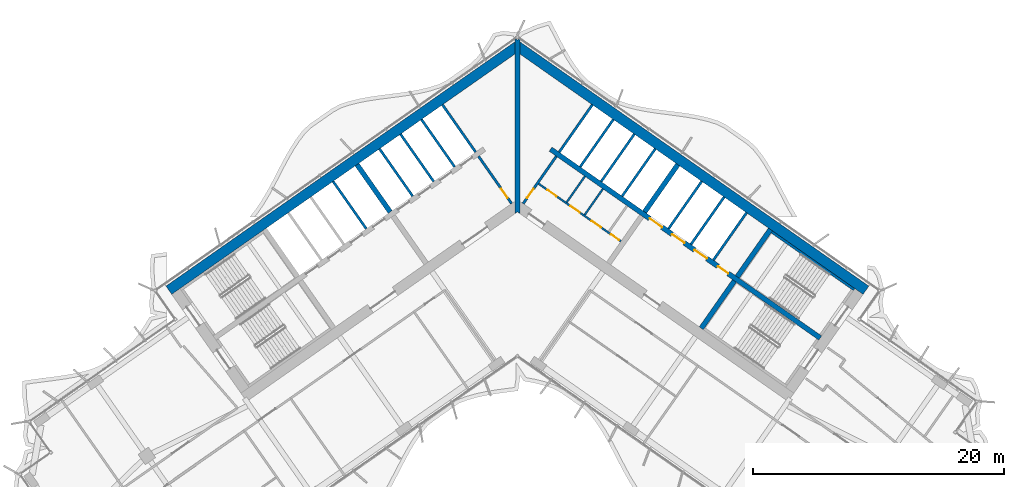
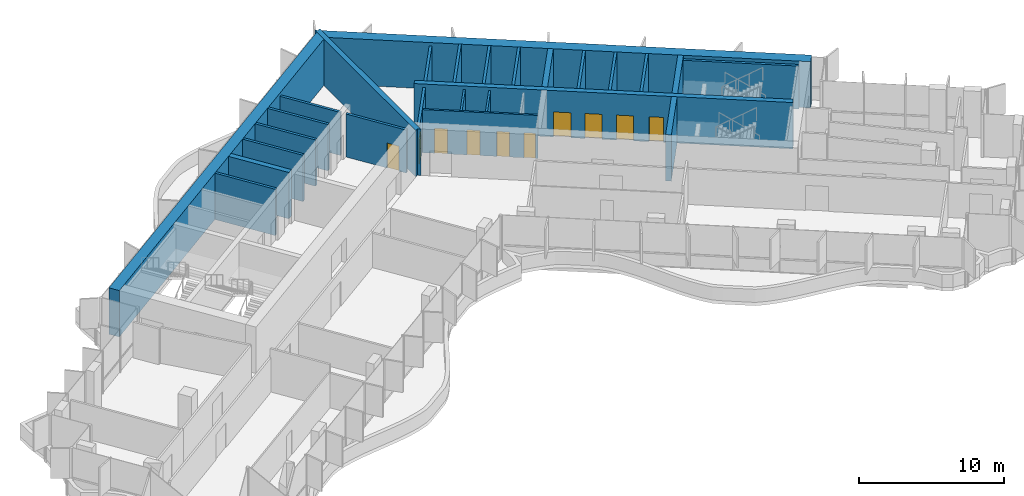
# One storey, part 14 of 21: 26 walls, 10 doors, 10 openings.
"""IFC4 building model written with IfcOpenShell, lengths in metres."""

from ifc_helpers import new_model, si_unit, direction, frame, frame_2d, origin, place, context, subcontext, project, spatial, polyline, rectangle, outline, extrude, material, layer, layer_set, type_object, element, fill, save


model = new_model("IFC4")

# Units and contexts
model_context = context("Model", 3, precision=1e-05, world=origin(), true_north=direction((0.0, 1.0)))
body_context = subcontext(model_context, "Body", "Model", "MODEL_VIEW")
ifc_project = project(units=[si_unit("LENGTHUNIT", "METRE"), si_unit("AREAUNIT", "SQUARE_METRE"), si_unit("VOLUMEUNIT", "CUBIC_METRE"), si_unit("PLANEANGLEUNIT", "RADIAN"), si_unit("MASSUNIT", "GRAM", prefix="KILO")], contexts=[model_context])

# Site, building, storey
site_placement = place(None, origin())
site = spatial("IfcSite", under=ifc_project, at=site_placement, CompositionType="ELEMENT")
building_placement = place(site_placement, origin())
building = spatial("IfcBuilding", under=site, at=building_placement, Name="Tel Ilan Convention Tower", CompositionType="ELEMENT")
storey_placement = place(building_placement, frame((0.0, 0.0, 147.60009765625)))
storey = spatial("IfcBuildingStorey", under=building, at=storey_placement, Name="L33", CompositionType="ELEMENT", Elevation=147.60009765625)

# Wall, openings, doors
ifc_material_1 = material(Name="Gypsum Plasterboard on Steel Stud", Category="steel")
ifc_layer_1 = layer(ifc_material_1, 0.14990234375)
ifc_layer_set_1 = layer_set([ifc_layer_1], Name="Core Room Partition Wall 150 mm EI 60")
wall_type_1 = type_object("IfcWallType", Name="Core Room Partition Wall 150 mm EI 60", PredefinedType="PARTITIONING", material=ifc_layer_set_1)
wall_1_placement = place(storey_placement, frame((1.687744140625, 1.015625, 0.0), z_axis=(0.0, 0.0, 1.0), x_axis=(0.819151624752, -0.573577035512, 0.0)))
wall_1 = element("IfcWall", 1, at=wall_1_placement, inside=storey, type_object=wall_type_1, Name="L33 core wall wc-h1", PredefinedType="PARTITIONING", context=body_context, shape_type="SweptSolid", body=[
    extrude(rectangle(XDim=8.0, YDim=0.14990234375, at=frame_2d((4.0, 0.0))), origin(), (0.0, 0.0, 1.0), 3.619873046875),
])
opening_1_placement = place(wall_1_placement, frame((0.85009765625, 0.0, 0.0)))
opening_1 = element("IfcOpeningElement", 2, at=opening_1_placement, cuts=wall_1, Name="Opening CD2711", PredefinedType="OPENING", context=body_context, shape_type="SweptSolid", body=[
    extrude(rectangle(XDim=0.89990234375, YDim=2.10009765625, at=frame_2d((0.449951171875, 1.050048828125))), frame((0.0, 0.0849609375, 0.0), z_axis=(0.0, -1.0, 0.0), x_axis=(1.0, 0.0, 0.0)), (0.0, 0.0, 1.0), 0.169921875),
])
opening_2_placement = place(wall_1_placement, frame((3.10009765625, 0.0, 0.0)))
opening_2 = element("IfcOpeningElement", 3, at=opening_2_placement, cuts=wall_1, Name="Opening CD2708", PredefinedType="OPENING", context=body_context, shape_type="SweptSolid", body=[
    extrude(rectangle(XDim=0.89990234375, YDim=2.10009765625, at=frame_2d((0.449951171875, 1.050048828125))), frame((0.0, 0.0849609375, 0.0), z_axis=(0.0, -1.0, 0.0), x_axis=(1.0, 0.0, 0.0)), (0.0, 0.0, 1.0), 0.169921875),
])
opening_3_placement = place(wall_1_placement, frame((5.14990234375, 0.0, 0.0)))
opening_3 = element("IfcOpeningElement", 4, at=opening_3_placement, cuts=wall_1, Name="Opening CD2710", PredefinedType="OPENING", context=body_context, shape_type="SweptSolid", body=[
    extrude(rectangle(XDim=0.89990234375, YDim=2.10009765625, at=frame_2d((0.449951171875, 1.050048828125))), frame((0.0, 0.0849609375, 0.0), z_axis=(0.0, -1.0, 0.0), x_axis=(1.0, 0.0, 0.0)), (0.0, 0.0, 1.0), 0.169921875),
])
opening_4_placement = place(wall_1_placement, frame((7.02490234375, 0.0, 0.0)))
opening_4 = element("IfcOpeningElement", 5, at=opening_4_placement, cuts=wall_1, Name="Opening CD2709", PredefinedType="OPENING", context=body_context, shape_type="SweptSolid", body=[
    extrude(rectangle(XDim=0.800048828125, YDim=2.10009765625, at=frame_2d((0.39990234375, 1.050048828125))), frame((0.0, 0.0849609375, 0.0), z_axis=(0.0, -1.0, 0.0), x_axis=(1.0, 0.0, 0.0)), (0.0, 0.0, 1.0), 0.169921875),
])
ifc_material_2 = material(Name="Galvanised Steel Door Leaf", Category="steel")
door_type_1 = type_object("IfcDoorType", Name="Store Door 800 x 2100 FD60", OperationType="NOTDEFINED", PredefinedType="DOOR", material=ifc_material_2)
door_1_placement = place(opening_4_placement, origin())
door_1 = element("IfcDoor", 6, at=door_1_placement, inside=storey, type_object=door_type_1, Name="Cleaner's store door", OperationType="SINGLE_SWING_RIGHT", OverallHeight=2.10009765625, OverallWidth=0.800048828125, PredefinedType="DOOR", context=body_context, shape_type="SweptSolid", body=[
    extrude(rectangle(XDim=0.800048828125, YDim=2.10009765625, at=frame_2d((0.39990234375, 1.050048828125))), frame((0.0, 0.02490234375, 0.0), z_axis=(0.0, -1.0, 0.0), x_axis=(1.0, 0.0, 0.0)), (0.0, 0.0, 1.0), 0.050048828125),
])
fill(opening_4, door_1)
ifc_material_3 = material(Name="Laminated Timber Door Leaf", Category="wood")
door_type_2 = type_object("IfcDoorType", Name="Toilet Door 900 x 2100 FD30S", OperationType="NOTDEFINED", PredefinedType="DOOR", material=ifc_material_3)
door_2_placement = place(opening_1_placement, origin())
door_2 = element("IfcDoor", 7, at=door_2_placement, inside=storey, type_object=door_type_2, Name="Women's WC door", OperationType="SINGLE_SWING_RIGHT", OverallHeight=2.10009765625, OverallWidth=0.89990234375, PredefinedType="DOOR", context=body_context, shape_type="SweptSolid", body=[
    extrude(rectangle(XDim=0.89990234375, YDim=2.10009765625, at=frame_2d((0.449951171875, 1.050048828125))), frame((0.0, 0.02490234375, 0.0), z_axis=(0.0, -1.0, 0.0), x_axis=(1.0, 0.0, 0.0)), (0.0, 0.0, 1.0), 0.050048828125),
])
fill(opening_1, door_2)
door_3_placement = place(opening_2_placement, origin())
door_3 = element("IfcDoor", 8, at=door_3_placement, inside=storey, type_object=door_type_2, Name="Accessible WC door", OperationType="SINGLE_SWING_RIGHT", OverallHeight=2.10009765625, OverallWidth=0.89990234375, PredefinedType="DOOR", context=body_context, shape_type="SweptSolid", body=[
    extrude(rectangle(XDim=0.89990234375, YDim=2.10009765625, at=frame_2d((0.449951171875, 1.050048828125))), frame((0.0, 0.02490234375, 0.0), z_axis=(0.0, -1.0, 0.0), x_axis=(1.0, 0.0, 0.0)), (0.0, 0.0, 1.0), 0.050048828125),
])
fill(opening_2, door_3)
door_4_placement = place(opening_3_placement, origin())
door_4 = element("IfcDoor", 9, at=door_4_placement, inside=storey, type_object=door_type_2, Name="Men's WC door", OperationType="SINGLE_SWING_RIGHT", OverallHeight=2.10009765625, OverallWidth=0.89990234375, PredefinedType="DOOR", context=body_context, shape_type="SweptSolid", body=[
    extrude(rectangle(XDim=0.89990234375, YDim=2.10009765625, at=frame_2d((0.449951171875, 1.050048828125))), frame((0.0, 0.02490234375, 0.0), z_axis=(0.0, -1.0, 0.0), x_axis=(1.0, 0.0, 0.0)), (0.0, 0.0, 1.0), 0.050048828125),
])
fill(opening_3, door_4)

# Walls
for number, where, z_axis, x_axis, name in (
    (10, (3.922119140625, -0.457275390625, 0.0), (0.0, 0.0, 1.0), (0.573566168143, 0.81915923407, 0.0), "L33 core wall wc-v0"),
    (11, (5.35546875, -1.4609375, 0.0), (0.0, 0.0, 1.0), (0.573566168143, 0.81915923407, 0.0), "L33 core wall wc-v1"),
):
    element("IfcWall", number, at=place(storey_placement, frame(where, z_axis=z_axis, x_axis=x_axis)), inside=storey, type_object=wall_type_1, Name=name, PredefinedType="PARTITIONING", context=body_context, shape_type="SweptSolid", body=[
        extrude(rectangle(XDim=2.52490234375, YDim=0.14990234375, at=frame_2d((1.262451171875, 0.0))), origin(), (0.0, 0.0, 1.0), 3.619873046875),
    ])

# Wall, opening, door
ifc_material_4 = material(Name="Concrete C30/37", Category="concrete")
ifc_layer_2 = layer(ifc_material_4, 0.199951171875)
ifc_layer_set_2 = layer_set([ifc_layer_2], Name="Core Service Room Wall 200 mm C30/37")
wall_type_2 = type_object("IfcWallType", Name="Core Service Room Wall 200 mm C30/37", PredefinedType="SOLIDWALL", material=ifc_layer_set_2)
wall_2_placement = place(storey_placement, frame((-0.458740234375, -0.565185546875, 0.0), z_axis=(0.0, 0.0, 1.0), x_axis=(-0.573576324356, 0.819152122709, 0.0)))
wall_2 = element("IfcWall", 12, at=wall_2_placement, inside=storey, type_object=wall_type_2, Name="L33 core wall apex-W", PredefinedType="SOLIDWALL", context=body_context, shape_type="SweptSolid", body=[
    extrude(rectangle(XDim=4.599853515625, YDim=0.199951171875, at=frame_2d((2.2998046875, 0.0))), origin(), (0.0, 0.0, 1.0), 3.619873046875),
])
opening_5_placement = place(wall_2_placement, frame((0.550048828125, 0.0, 0.0)))
opening_5 = element("IfcOpeningElement", 13, at=opening_5_placement, cuts=wall_2, Name="Opening CD2702", PredefinedType="OPENING", context=body_context, shape_type="SweptSolid", body=[
    extrude(rectangle(XDim=0.89990234375, YDim=2.10009765625, at=frame_2d((0.449951171875, 1.050048828125))), frame((0.0, 0.10986328125, 0.0), z_axis=(0.0, -1.0, 0.0), x_axis=(1.0, 0.0, 0.0)), (0.0, 0.0, 1.0), 0.219970703125),
])
ifc_material_5 = material(Name="Galvanised Steel Door Leaf", Category="steel")
door_type_3 = type_object("IfcDoorType", Name="Service Room Door 900 x 2100 FD60", OperationType="NOTDEFINED", PredefinedType="DOOR", material=ifc_material_5)
door_5_placement = place(opening_5_placement, origin())
door_5 = element("IfcDoor", 14, at=door_5_placement, inside=storey, type_object=door_type_3, Name="Telecom Room door", OperationType="SINGLE_SWING_RIGHT", OverallHeight=2.10009765625, OverallWidth=0.89990234375, PredefinedType="DOOR", context=body_context, shape_type="SweptSolid", body=[
    extrude(rectangle(XDim=0.89990234375, YDim=2.10009765625, at=frame_2d((0.449951171875, 1.050048828125))), frame((0.0, 0.02490234375, 0.0), z_axis=(0.0, -1.0, 0.0), x_axis=(1.0, 0.0, 0.0)), (0.0, 0.0, 1.0), 0.050048828125),
])
fill(opening_5, door_5)

# Wall
wall_3_placement = place(storey_placement, frame((-3.32666015625, 3.530517578125, 0.0), z_axis=(0.0, 0.0, 1.0), x_axis=(-0.573576324356, 0.819152122709, 0.0)))
element("IfcWall", 15, at=wall_3_placement, inside=storey, type_object=wall_type_2, Name="L33 core wall apex-W-b", PredefinedType="SOLIDWALL", context=body_context, shape_type="SweptSolid", body=[
    extrude(rectangle(XDim=4.599853515625, YDim=0.199951171875, at=frame_2d((2.2998046875, 0.0))), origin(), (0.0, 0.0, 1.0), 3.619873046875),
])

# Wall, opening, door
wall_4_placement = place(storey_placement, frame((0.458740234375, -0.565185546875, 0.0), z_axis=(0.0, 0.0, 1.0), x_axis=(0.573576324356, 0.819152122709, 0.0)))
wall_4 = element("IfcWall", 16, at=wall_4_placement, inside=storey, type_object=wall_type_2, Name="L33 core wall apex-E", PredefinedType="SOLIDWALL", context=body_context, shape_type="SweptSolid", body=[
    extrude(rectangle(XDim=4.599853515625, YDim=0.199951171875, at=frame_2d((2.2998046875, 0.0))), origin(), (0.0, 0.0, 1.0), 3.619873046875),
])
opening_6_placement = place(wall_4_placement, frame((0.550048828125, 0.0, 0.0)))
opening_6 = element("IfcOpeningElement", 17, at=opening_6_placement, cuts=wall_4, Name="Opening CD2701", PredefinedType="OPENING", context=body_context, shape_type="SweptSolid", body=[
    extrude(rectangle(XDim=0.89990234375, YDim=2.10009765625, at=frame_2d((0.449951171875, 1.050048828125))), frame((0.0, 0.10986328125, 0.0), z_axis=(0.0, -1.0, 0.0), x_axis=(1.0, 0.0, 0.0)), (0.0, 0.0, 1.0), 0.219970703125),
])
door_6_placement = place(opening_6_placement, origin())
door_6 = element("IfcDoor", 18, at=door_6_placement, inside=storey, type_object=door_type_3, Name="Data Room door", OperationType="SINGLE_SWING_RIGHT", OverallHeight=2.10009765625, OverallWidth=0.89990234375, PredefinedType="DOOR", context=body_context, shape_type="SweptSolid", body=[
    extrude(rectangle(XDim=0.89990234375, YDim=2.10009765625, at=frame_2d((0.449951171875, 1.050048828125))), frame((0.0, 0.02490234375, 0.0), z_axis=(0.0, -1.0, 0.0), x_axis=(1.0, 0.0, 0.0)), (0.0, 0.0, 1.0), 0.050048828125),
])
fill(opening_6, door_6)

# Walls
wall_5_placement = place(storey_placement, frame((3.32666015625, 3.530517578125, 0.0), z_axis=(0.0, 0.0, 1.0), x_axis=(0.573576324356, 0.819152122709, 0.0)))
element("IfcWall", 19, at=wall_5_placement, inside=storey, type_object=wall_type_2, Name="L33 core wall apex-E-b", PredefinedType="SOLIDWALL", context=body_context, shape_type="SweptSolid", body=[
    extrude(rectangle(XDim=4.599853515625, YDim=0.199951171875, at=frame_2d((2.2998046875, 0.0))), origin(), (0.0, 0.0, 1.0), 3.619873046875),
])
ifc_material_6 = material(Name="Concrete C50/60", Category="concrete")
ifc_layer_3 = layer(ifc_material_6, 0.39990234375)
ifc_layer_set_3 = layer_set([ifc_layer_3], Name="Core Shear Wall 400 mm C50/60")
wall_type_3 = type_object("IfcWallType", Name="Core Shear Wall 400 mm C50/60", PredefinedType="SHEAR", material=ifc_layer_set_3)
wall_6_placement = place(storey_placement, frame((-10.12548828125, -1.230224609375, 0.0), z_axis=(0.0, 0.0, 1.0), x_axis=(-0.573576324356, 0.819152122709, 0.0)))
element("IfcWall", 20, at=wall_6_placement, inside=storey, type_object=wall_type_3, Name="L33 core wall W-cross1-2", PredefinedType="SHEAR", context=body_context, shape_type="SweptSolid", body=[
    extrude(outline(polyline([(4.60009765625, -0.199951171875), (4.599853515625, 0.199951171875), (0.0, 0.2001953125), (0.0, -0.199951171875), (4.60009765625, -0.199951171875)])), origin(), (0.0, 0.0, 1.0), 3.89990234375),
])
wall_7_placement = place(storey_placement, frame((10.12548828125, -1.230224609375, 0.0), z_axis=(0.0, 0.0, 1.0), x_axis=(0.573576324356, 0.819152122709, 0.0)))
element("IfcWall", 21, at=wall_7_placement, inside=storey, type_object=wall_type_3, Name="L33 core wall E-cross1-2", PredefinedType="SHEAR", context=body_context, shape_type="SweptSolid", body=[
    extrude(outline(polyline([(4.599853515625, -0.199951171875), (4.60009765625, 0.199951171875), (0.0, 0.199951171875), (0.0, -0.2001953125), (4.599853515625, -0.199951171875)])), origin(), (0.0, 0.0, 1.0), 3.89990234375),
])
wall_8_placement = place(storey_placement, frame((14.6298828125, -10.48828125, 0.0), z_axis=(0.0, 0.0, 1.0), x_axis=(0.573611936273, 0.819127185829, 0.0)))
element("IfcWall", 22, at=wall_8_placement, inside=storey, type_object=wall_type_3, Name="L33 core wall E-cross2-1", PredefinedType="SHEAR", context=body_context, shape_type="SweptSolid", body=[
    extrude(outline(polyline([(0.000244140625, 0.199951171875), (0.000244140625, -0.2001953125), (4.60009765625, -0.199951171875), (4.60009765625, 0.2001953125), (0.000244140625, 0.199951171875)])), origin(), (0.0, 0.0, 1.0), 3.89990234375),
])
wall_9_placement = place(storey_placement, frame((17.497802734375, -6.392333984375, 0.0), z_axis=(0.0, 0.0, 1.0), x_axis=(0.573611936273, 0.819127185829, 0.0)))
element("IfcWall", 23, at=wall_9_placement, inside=storey, type_object=wall_type_3, Name="L33 core wall E-cross2-2", PredefinedType="SHEAR", context=body_context, shape_type="SweptSolid", body=[
    extrude(outline(polyline([(4.599853515625, -0.199951171875), (4.599853515625, 0.2001953125), (0.0, 0.199951171875), (0.0, -0.2001953125), (4.599853515625, -0.199951171875)])), origin(), (0.0, 0.0, 1.0), 3.89990234375),
])

# Wall, openings, doors
wall_10_placement = place(storey_placement, frame((2.638427734375, 3.76806640625, 0.0), z_axis=(0.0, 0.0, 1.0), x_axis=(0.81915267502, -0.573575535572, 0.0)))
wall_10 = element("IfcWall", 24, at=wall_10_placement, inside=storey, type_object=wall_type_3, Name="L33 core wall E-spine", PredefinedType="SHEAR", context=body_context, shape_type="SweptSolid", body=[
    extrude(outline(polyline([(0.0, 0.199951171875), (0.0, -0.199951171875), (26.199951171875, -0.199951171875), (26.199951171875, 0.199951171875), (0.0, 0.199951171875)])), origin(), (0.0, 0.0, 1.0), 3.89990234375),
])
opening_7_placement = place(wall_10_placement, frame((9.637451171875, 0.0, 0.0)))
opening_7 = element("IfcOpeningElement", 25, at=opening_7_placement, cuts=wall_10, Name="Opening LD2701", PredefinedType="OPENING", context=body_context, shape_type="SweptSolid", body=[
    extrude(rectangle(XDim=1.199951171875, YDim=2.10009765625, at=frame_2d((0.60009765625, 1.050048828125))), frame((0.0, 0.2099609375, 0.0), z_axis=(0.0, -1.0, 0.0), x_axis=(1.0, 0.0, 0.0)), (0.0, 0.0, 1.0), 0.419921875),
])
opening_8_placement = place(wall_10_placement, frame((11.8125, 0.0, 0.0)))
opening_8 = element("IfcOpeningElement", 26, at=opening_8_placement, cuts=wall_10, Name="Opening LD2702", PredefinedType="OPENING", context=body_context, shape_type="SweptSolid", body=[
    extrude(rectangle(XDim=1.199951171875, YDim=2.10009765625, at=frame_2d((0.60009765625, 1.050048828125))), frame((0.0, 0.2099609375, 0.0), z_axis=(0.0, -1.0, 0.0), x_axis=(1.0, 0.0, 0.0)), (0.0, 0.0, 1.0), 0.419921875),
])
opening_9_placement = place(wall_10_placement, frame((13.987548828125, 0.0, 0.0)))
opening_9 = element("IfcOpeningElement", 27, at=opening_9_placement, cuts=wall_10, Name="Opening LD2703", PredefinedType="OPENING", context=body_context, shape_type="SweptSolid", body=[
    extrude(rectangle(XDim=1.199951171875, YDim=2.10009765625, at=frame_2d((0.60009765625, 1.050048828125))), frame((0.0, 0.2099609375, 0.0), z_axis=(0.0, -1.0, 0.0), x_axis=(1.0, 0.0, 0.0)), (0.0, 0.0, 1.0), 0.419921875),
])
opening_10_placement = place(wall_10_placement, frame((16.262451171875, 0.0, 0.0)))
opening_10 = element("IfcOpeningElement", 28, at=opening_10_placement, cuts=wall_10, Name="Opening CD2707", PredefinedType="OPENING", context=body_context, shape_type="SweptSolid", body=[
    extrude(rectangle(XDim=1.0, YDim=2.10009765625, at=frame_2d((0.5, 1.050048828125))), frame((0.0, 0.2099609375, 0.0), z_axis=(0.0, -1.0, 0.0), x_axis=(1.0, 0.0, 0.0)), (0.0, 0.0, 1.0), 0.419921875),
])
ifc_material_7 = material(Name="Stainless Steel Sliding Door Leaf", Category="steel")
door_type_4 = type_object("IfcDoorType", Name="Lift Landing Door 1200 x 2100 FD120", OperationType="NOTDEFINED", PredefinedType="DOOR", material=ifc_material_7)
door_7_placement = place(opening_7_placement, origin())
door_7 = element("IfcDoor", 29, at=door_7_placement, inside=storey, type_object=door_type_4, Name="Lift FL1 landing door", OperationType="SLIDING_TO_LEFT", OverallHeight=2.10009765625, OverallWidth=1.199951171875, PredefinedType="DOOR", context=body_context, shape_type="SweptSolid", body=[
    extrude(rectangle(XDim=1.199951171875, YDim=2.10009765625, at=frame_2d((0.60009765625, 1.050048828125))), frame((0.0, 0.02490234375, 0.0), z_axis=(0.0, -1.0, 0.0), x_axis=(1.0, 0.0, 0.0)), (0.0, 0.0, 1.0), 0.050048828125),
])
fill(opening_7, door_7)
door_8_placement = place(opening_8_placement, origin())
door_8 = element("IfcDoor", 30, at=door_8_placement, inside=storey, type_object=door_type_4, Name="Lift FL2 landing door", OperationType="SLIDING_TO_RIGHT", OverallHeight=2.10009765625, OverallWidth=1.199951171875, PredefinedType="DOOR", context=body_context, shape_type="SweptSolid", body=[
    extrude(rectangle(XDim=1.199951171875, YDim=2.10009765625, at=frame_2d((0.60009765625, 1.050048828125))), frame((0.0, 0.02490234375, 0.0), z_axis=(0.0, -1.0, 0.0), x_axis=(1.0, 0.0, 0.0)), (0.0, 0.0, 1.0), 0.050048828125),
])
fill(opening_8, door_8)
door_9_placement = place(opening_9_placement, origin())
door_9 = element("IfcDoor", 31, at=door_9_placement, inside=storey, type_object=door_type_4, Name="Lift FL3 landing door", OperationType="SLIDING_TO_LEFT", OverallHeight=2.10009765625, OverallWidth=1.199951171875, PredefinedType="DOOR", context=body_context, shape_type="SweptSolid", body=[
    extrude(rectangle(XDim=1.199951171875, YDim=2.10009765625, at=frame_2d((0.60009765625, 1.050048828125))), frame((0.0, 0.02490234375, 0.0), z_axis=(0.0, -1.0, 0.0), x_axis=(1.0, 0.0, 0.0)), (0.0, 0.0, 1.0), 0.050048828125),
])
fill(opening_9, door_9)
ifc_material_8 = material(Name="Galvanised Steel Door Leaf", Category="steel")
door_type_5 = type_object("IfcDoorType", Name="Service Room Door 1000 x 2100 FD60", OperationType="NOTDEFINED", PredefinedType="DOOR", material=ifc_material_8)
door_10_placement = place(opening_10_placement, origin())
door_10 = element("IfcDoor", 32, at=door_10_placement, inside=storey, type_object=door_type_5, Name="Plant Room door", OperationType="SINGLE_SWING_RIGHT", OverallHeight=2.10009765625, OverallWidth=1.0, PredefinedType="DOOR", context=body_context, shape_type="SweptSolid", body=[
    extrude(rectangle(XDim=1.0, YDim=2.10009765625, at=frame_2d((0.5, 1.050048828125))), frame((0.0, 0.02490234375, 0.0), z_axis=(0.0, -1.0, 0.0), x_axis=(1.0, 0.0, 0.0)), (0.0, 0.0, 1.0), 0.050048828125),
])
fill(opening_10, door_10)

# Walls
wall_11_placement = place(storey_placement, frame((0.0, -1.36083984375, 0.0), z_axis=(0.0, 0.0, 1.0), x_axis=(0.0, 1.0, 0.0)))
element("IfcWall", 33, at=wall_11_placement, inside=storey, type_object=wall_type_3, Name="L33 core wall K-central", PredefinedType="SHEAR", context=body_context, shape_type="SweptSolid", body=[
    extrude(outline(polyline([(0.0, -0.199951171875), (0.14013671875, -0.199951171875), (1.0751953125, -0.199951171875), (12.696044921875, -0.199951171875), (13.812744140625, -0.199951171875), (13.893310546875, -0.199951171875), (13.933349609375, -0.172119140625), (13.812744140625, 0.0), (13.933349609375, 0.172119140625), (13.893310546875, 0.199951171875), (13.812744140625, 0.199951171875), (12.696044921875, 0.199951171875), (1.0751953125, 0.199951171875), (0.14013671875, 0.199951171875), (0.0, 0.199951171875), (0.14013671875, 0.0), (0.0, -0.199951171875)])), origin(), (0.0, 0.0, 1.0), 3.89990234375),
])
ifc_material_9 = material(Name="Concrete C50/60", Category="concrete")
ifc_layer_4 = layer(ifc_material_9, 0.800048828125)
ifc_layer_set_4 = layer_set([ifc_layer_4], Name="Core Shear Wall 800 mm C50/60")
wall_type_4 = type_object("IfcWallType", Name="Core Shear Wall 800 mm C50/60", PredefinedType="SHEAR", material=ifc_layer_set_4)
wall_12_placement = place(storey_placement, frame((0.029296875, 11.984130859375, 0.0), z_axis=(0.0, 0.0, 1.0), x_axis=(-0.819151382952, -0.573577380837, 0.0)))
element("IfcWall", 34, at=wall_12_placement, inside=storey, type_object=wall_type_4, Name="L33 core wall W-back", PredefinedType="SHEAR", context=body_context, shape_type="SweptSolid", body=[
    extrude(outline(polyline([(33.897705078125, 0.39990234375), (0.56005859375, 0.400146484375), (-0.000244140625, -0.39990234375), (33.897705078125, -0.400146484375), (33.897705078125, 0.39990234375)])), origin(), (0.0, 0.0, 1.0), 3.89990234375),
])
wall_13_placement = place(storey_placement, frame((-0.029296875, 11.984130859375, 0.0), z_axis=(0.0, 0.0, 1.0), x_axis=(0.819151382952, -0.573577380837, 0.0)))
element("IfcWall", 35, at=wall_13_placement, inside=storey, type_object=wall_type_4, Name="L33 core wall E-back", PredefinedType="SHEAR", context=body_context, shape_type="SweptSolid", body=[
    extrude(outline(polyline([(33.897705078125, 0.400146484375), (-0.000244140625, 0.39990234375), (0.56005859375, -0.400146484375), (33.897705078125, -0.39990234375), (33.897705078125, 0.400146484375)])), origin(), (0.0, 0.0, 1.0), 3.89990234375),
])
ifc_material_10 = material(Name="Concrete C30/37", Category="concrete")
ifc_layer_5 = layer(ifc_material_10, 0.199951171875)
ifc_layer_set_5 = layer_set([ifc_layer_5], Name="Lift Shaft Wall 200 mm C30/37")
wall_type_5 = type_object("IfcWallType", Name="Lift Shaft Wall 200 mm C30/37", PredefinedType="SOLIDWALL", material=ifc_layer_set_5)
for number, where, z_axis, x_axis, name in (
    (36, (-4.99560546875, 2.36181640625, 0.0), (0.0, 0.0, 1.0), (-0.573576324356, 0.819152122709, 0.0), "L33 core wall bank-W1-p0"),
    (37, (-6.66455078125, 1.193115234375, 0.0), (0.0, 0.0, 1.0), (-0.573576324356, 0.819152122709, 0.0), "L33 core wall bank-W1-p1"),
):
    element("IfcWall", number, at=place(storey_placement, frame(where, z_axis=z_axis, x_axis=x_axis)), inside=storey, type_object=wall_type_5, Name=name, PredefinedType="SOLIDWALL", context=body_context, shape_type="SweptSolid", body=[
        extrude(rectangle(XDim=4.599853515625, YDim=0.199951171875, at=frame_2d((2.2998046875, 0.0))), origin(), (0.0, 0.0, 1.0), 3.89990234375),
    ])
wall_14_placement = place(storey_placement, frame((-8.33349609375, 0.0244140625, 0.0), z_axis=(0.0, 0.0, 1.0), x_axis=(-0.573611936273, 0.819127185829, 0.0)))
element("IfcWall", 38, at=wall_14_placement, inside=storey, type_object=wall_type_5, Name="L33 core wall bank-W1-p2", PredefinedType="SOLIDWALL", context=body_context, shape_type="SweptSolid", body=[
    extrude(rectangle(XDim=4.60009765625, YDim=0.199951171875, at=frame_2d((2.300048828125, 0.0))), origin(), (0.0, 0.0, 1.0), 3.89990234375),
])
for number, where, z_axis, x_axis, name in (
    (39, (-12.030029296875, -2.563720703125, 0.0), (0.0, 0.0, 1.0), (-0.573576324356, 0.819152122709, 0.0), "L33 core wall bank-W2-p0"),
    (40, (4.99560546875, 2.36181640625, 0.0), (0.0, 0.0, 1.0), (0.573576324356, 0.819152122709, 0.0), "L33 core wall bank-E1-p0"),
    (41, (6.66455078125, 1.193115234375, 0.0), (0.0, 0.0, 1.0), (0.573576324356, 0.819152122709, 0.0), "L33 core wall bank-E1-p1"),
):
    element("IfcWall", number, at=place(storey_placement, frame(where, z_axis=z_axis, x_axis=x_axis)), inside=storey, type_object=wall_type_5, Name=name, PredefinedType="SOLIDWALL", context=body_context, shape_type="SweptSolid", body=[
        extrude(rectangle(XDim=4.599853515625, YDim=0.199951171875, at=frame_2d((2.2998046875, 0.0))), origin(), (0.0, 0.0, 1.0), 3.89990234375),
    ])
wall_15_placement = place(storey_placement, frame((8.33349609375, 0.0244140625, 0.0), z_axis=(0.0, 0.0, 1.0), x_axis=(0.573611936273, 0.819127185829, 0.0)))
element("IfcWall", 42, at=wall_15_placement, inside=storey, type_object=wall_type_5, Name="L33 core wall bank-E1-p2", PredefinedType="SOLIDWALL", context=body_context, shape_type="SweptSolid", body=[
    extrude(rectangle(XDim=4.60009765625, YDim=0.199951171875, at=frame_2d((2.300048828125, 0.0))), origin(), (0.0, 0.0, 1.0), 3.89990234375),
])
for number, where, z_axis, x_axis, name in (
    (43, (12.030029296875, -2.563720703125, 0.0), (0.0, 0.0, 1.0), (0.573576324356, 0.819152122709, 0.0), "L33 core wall bank-E2-p0"),
    (44, (13.811767578125, -3.811279296875, 0.0), (0.0, 0.0, 1.0), (0.573576324356, 0.819152122709, 0.0), "L33 core wall bank-E2-p1"),
    (45, (15.593505859375, -5.058837890625, 0.0), (0.0, 0.0, 1.0), (0.573540709186, 0.819177059558, 0.0), "L33 core wall bank-E2-p2"),
):
    element("IfcWall", number, at=place(storey_placement, frame(where, z_axis=z_axis, x_axis=x_axis)), inside=storey, type_object=wall_type_5, Name=name, PredefinedType="SOLIDWALL", context=body_context, shape_type="SweptSolid", body=[
        extrude(rectangle(XDim=4.599853515625, YDim=0.199951171875, at=frame_2d((2.2998046875, 0.0))), origin(), (0.0, 0.0, 1.0), 3.89990234375),
    ])
ifc_material_11 = material(Name="Concrete C30/37", Category="concrete")
ifc_layer_6 = layer(ifc_material_11, 0.199951171875)
ifc_layer_set_6 = layer_set([ifc_layer_6], Name="Stair and Shaft Lining Wall 200 mm C30/37")
wall_type_6 = type_object("IfcWallType", Name="Stair and Shaft Lining Wall 200 mm C30/37", PredefinedType="SOLIDWALL", material=ifc_layer_set_6)
wall_16_placement = place(storey_placement, frame((20.242919921875, -2.821044921875, 0.0), z_axis=(0.0, 0.0, 1.0), x_axis=(0.819141584393, -0.57359137434, 0.0)))
element("IfcWall", 46, at=wall_16_placement, inside=storey, type_object=wall_type_6, Name="L33 core wall lining-S3-t1", PredefinedType="SOLIDWALL", context=body_context, shape_type="SweptSolid", body=[
    extrude(rectangle(XDim=7.999755859375, YDim=0.199951171875, at=frame_2d((4.0, 0.0))), origin(), (0.0, 0.0, 1.0), 3.619873046875),
])

save(model, "model.ifc")
